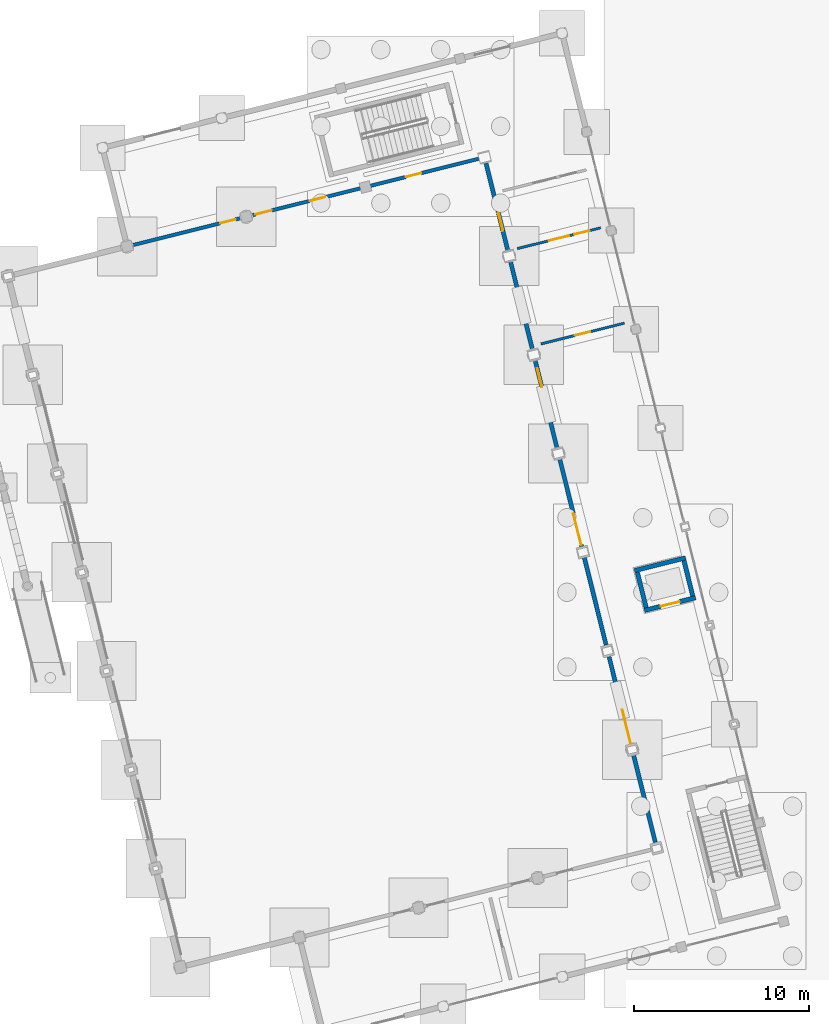
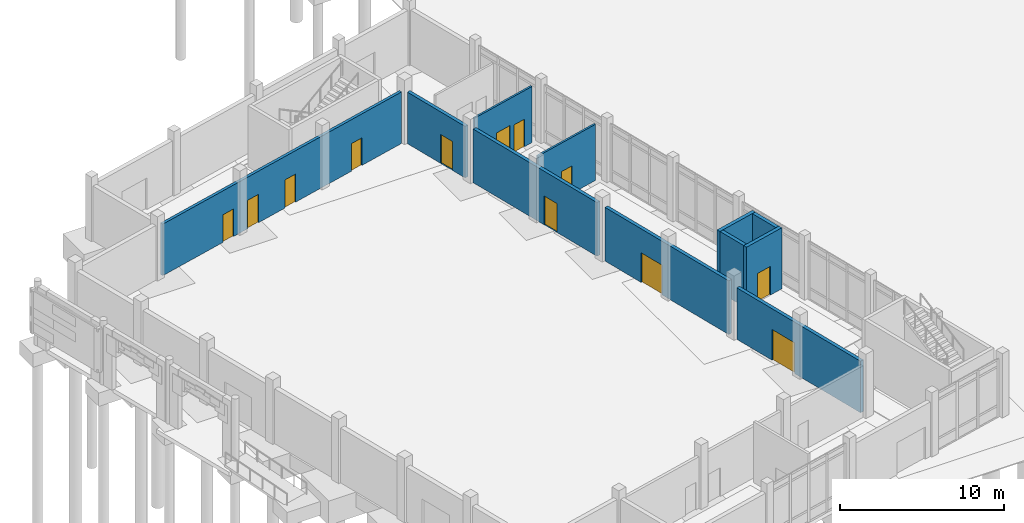
# One storey, part 43 of 72: 12 doors, 11 walls, 12 openings.
"""IFC4 building model written with IfcOpenShell, lengths in metres."""

import ifcopenshell
import ifcopenshell.guid

model = None  # the IFC model being written
_history = None  # IfcOwnerHistory: only IFC2X3 demands one
_inside = {}  # id of a spatial element -> (the spatial element, [elements in it])
_under = {}  # id of a project, library or spatial element -> (it, [spatial elements below it])
_declared = {}  # id of a project -> (the project, [libraries it declares])
_typed = {}  # id of a type object -> (the type object, [elements of that type])
_made_of = {}  # id of a material, layer set ... -> (it, [elements and type objects made of it])


def new_model(schema):
    """Start an empty IFC model of exactly this schema.

    Asked for "IFC4X3", IfcOpenShell would pick the latest addendum, in which some entities
    have other attributes; the version numbers below select the first issue.
    IFC2X3 requires an IfcOwnerHistory on every rooted entity: one is made here for all.
    """
    global model, _history
    if schema == "IFC4X3":
        model = ifcopenshell.file(schema_version=(4, 3, 0, 0))
    else:
        model = ifcopenshell.file(schema=schema)
    _inside.clear()
    _under.clear()
    _declared.clear()
    _typed.clear()
    _made_of.clear()
    _history = None
    if model.schema == "IFC2X3":
        org = make("IfcOrganization", Name="unknown")
        user = make(
            "IfcPersonAndOrganization",
            ThePerson=make("IfcPerson", FamilyName="unknown"),
            TheOrganization=org,
        )
        app = make(
            "IfcApplication",
            ApplicationDeveloper=org,
            Version="unknown",
            ApplicationFullName="unknown",
            ApplicationIdentifier="unknown",
        )
        _history = make(
            "IfcOwnerHistory",
            OwningUser=user,
            OwningApplication=app,
            ChangeAction="ADDED",
            CreationDate=0,
        )
    return model


def make(cls, **values):
    """One entity of the class cls with the attributes given. An attribute that is None is left unset."""
    return model.create_entity(
        cls, **{name: value for name, value in values.items() if value is not None}
    )


def rooted(cls, **values):
    """An entity with a GlobalId (a new one), such as an element, a storey or a relation."""
    return make(cls, GlobalId=ifcopenshell.guid.new(), OwnerHistory=_history, **values)


def si_unit(unit_type, name, prefix=None):
    """IfcSIUnit, for example si_unit("LENGTHUNIT", "METRE", prefix="MILLI")."""
    return make("IfcSIUnit", UnitType=unit_type, Prefix=prefix, Name=name)


def assignment(units):
    """IfcUnitAssignment: the units of a project."""
    return None if units is None else make("IfcUnitAssignment", Units=units)


def point(xyz):
    """IfcCartesianPoint."""
    return None if xyz is None else make("IfcCartesianPoint", Coordinates=xyz)


def direction(xyz):
    """IfcDirection."""
    return None if xyz is None else make("IfcDirection", DirectionRatios=xyz)


def frame(location, z_axis=None, x_axis=None):
    """IfcAxis2Placement3D, a coordinate frame: its origin and axes. An axis left out is left unset."""
    return make(
        "IfcAxis2Placement3D",
        Location=point(location),
        Axis=direction(z_axis),
        RefDirection=direction(x_axis),
    )


def frame_2d(location, x_axis=None):
    """IfcAxis2Placement2D, a coordinate frame in the plane: its origin and x axis."""
    return make(
        "IfcAxis2Placement2D", Location=point(location), RefDirection=direction(x_axis)
    )


def origin():
    """The frame at (0, 0, 0) with its axes left unset."""
    return frame((0.0, 0.0, 0.0))


def place(relative_to, where):
    """IfcLocalPlacement: puts the frame where relative to a parent placement (None: the world)."""
    return make(
        "IfcLocalPlacement", PlacementRelTo=relative_to, RelativePlacement=where
    )


def context(
    kind, dimensions, precision=None, world=None, true_north=None, identifier=None
):
    """IfcGeometricRepresentationContext, for example the 3D "Model" context."""
    return make(
        "IfcGeometricRepresentationContext",
        ContextIdentifier=identifier,
        ContextType=kind,
        CoordinateSpaceDimension=dimensions,
        Precision=precision,
        WorldCoordinateSystem=world,
        TrueNorth=true_north,
    )


def subcontext(parent, identifier, kind, view, scale=None):
    """IfcGeometricRepresentationSubContext, for example "Body" below "Model"."""
    return make(
        "IfcGeometricRepresentationSubContext",
        ContextIdentifier=identifier,
        ContextType=kind,
        ParentContext=parent,
        TargetScale=scale,
        TargetView=view,
    )


def project(units=None, contexts=None):
    """IfcProject with its units and contexts."""
    return rooted(
        "IfcProject",
        Name="project",
        RepresentationContexts=contexts,
        UnitsInContext=assignment(units),
    )


def spatial(cls, under=None, at=None, **own):
    """A site, building, storey or space (cls), placed at a placement, below another one or the project."""
    s = rooted(cls, ObjectPlacement=at, **own)
    if under is not None:
        _under.setdefault(under.id(), (under, []))[1].append(s)
    return s


def profile(cls, at=None, kind="AREA", **sizes):
    """A parametric profile (cls). Its sizes go by their IFC names, for example OverallWidth=200.0."""
    return make(cls, ProfileType=kind, Position=at, **sizes)


def rectangle(**sizes):
    """IfcRectangleProfileDef."""
    return profile("IfcRectangleProfileDef", **sizes)


def extrude(swept, where, along, depth):
    """IfcExtrudedAreaSolid: the profile swept, set in the frame where, extruded along a direction by depth."""
    return make(
        "IfcExtrudedAreaSolid",
        SweptArea=swept,
        Position=where,
        ExtrudedDirection=direction(along),
        Depth=depth,
    )


def shape(context_of_items, identifier, shape_type, items):
    """IfcShapeRepresentation: the items that make up one representation, for example the "Body"."""
    return make(
        "IfcShapeRepresentation",
        ContextOfItems=context_of_items,
        RepresentationIdentifier=identifier,
        RepresentationType=shape_type,
        Items=items,
    )


def material(Name=None, Category=None):
    """IfcMaterial."""
    return make("IfcMaterial", Name=Name, Category=Category)


def layer(
    of_material, thickness, ventilated=None, Name=None, Category=None, Priority=None
):
    """IfcMaterialLayer: one layer of a wall or slab, of a material (None: an air gap)."""
    return make(
        "IfcMaterialLayer",
        Material=of_material,
        LayerThickness=thickness,
        IsVentilated=ventilated,
        Name=Name,
        Category=Category,
        Priority=Priority,
    )


def layer_set(layers, Name=None):
    """IfcMaterialLayerSet."""
    return make("IfcMaterialLayerSet", MaterialLayers=layers, LayerSetName=Name)


def made_of(thing, what):
    """Note that an element or type object is made of a material, layer set ...; save() writes the relation."""
    if what is not None:
        _made_of.setdefault(what.id(), (what, []))[1].append(thing)
    return thing


def type_object(cls, material=None, **own):
    """A type object (cls), such as IfcWallType, which elements share."""
    return made_of(rooted(cls, **own), material)


def element(
    cls,
    number,
    at=None,
    inside=None,
    cuts=None,
    type_object=None,
    material=None,
    context=None,
    identifier="Body",
    shape_type=None,
    held_by="IfcProductDefinitionShape",
    body=None,
    shapes=None,
    **own,
):
    """One element of the class cls, such as IfcWall. Its Tag is "e" and its number.

    at: its placement. inside: the storey or other place that contains it. cuts: it is an
    opening in that element (IfcRelVoidsElement). A single representation is given by context,
    identifier, shape_type and body (its items); several are given by shapes. held_by: the class
    of the entity that holds the representations. save() writes the other relations.
    """
    e = rooted(cls, Tag="e%d" % number, ObjectPlacement=at, **own)
    if body is not None:
        shapes = [shape(context, identifier, shape_type, body)]
    if shapes is not None:
        e.Representation = make(held_by, Representations=shapes)
    if inside is not None:
        _inside.setdefault(inside.id(), (inside, []))[1].append(e)
    if cuts is not None:
        rooted(
            "IfcRelVoidsElement", RelatingBuildingElement=cuts, RelatedOpeningElement=e
        )
    if type_object is not None:
        _typed.setdefault(type_object.id(), (type_object, []))[1].append(e)
    return made_of(e, material)


def fill(opening, filler):
    """IfcRelFillsElement: the door or window that sits in an opening."""
    return rooted(
        "IfcRelFillsElement",
        RelatingOpeningElement=opening,
        RelatedBuildingElement=filler,
    )


def aggregate(whole, parts):
    """IfcRelAggregates: a whole, such as a stair, and the parts it consists of."""
    return rooted("IfcRelAggregates", RelatingObject=whole, RelatedObjects=parts)


def save(model, path):
    """Write the relations noted so far, then the file.

    IfcRelAggregates (storeys below a building ...), IfcRelContainedInSpatialStructure (elements
    in a storey), IfcRelDefinesByType, IfcRelAssociatesMaterial and IfcRelDeclares: one each for
    every whole, place, type object, material and project.
    """
    for whole, parts in _under.values():
        aggregate(whole, parts)
    for where, things in _inside.values():
        rooted(
            "IfcRelContainedInSpatialStructure",
            RelatedElements=things,
            RelatingStructure=where,
        )
    for kind, things in _typed.values():
        rooted("IfcRelDefinesByType", RelatedObjects=things, RelatingType=kind)
    for what, things in _made_of.values():
        rooted("IfcRelAssociatesMaterial", RelatedObjects=things, RelatingMaterial=what)
    for by, libraries in _declared.values():
        rooted("IfcRelDeclares", RelatingContext=by, RelatedDefinitions=libraries)
    model.write(path)


model = new_model("IFC4")

# Units and contexts
model_context = context("Model", 3, precision=1e-05, world=origin(), true_north=direction((0.0, 1.0)))
body_context = subcontext(model_context, "Body", "Model", "MODEL_VIEW")
ifc_project = project(units=[si_unit("LENGTHUNIT", "METRE"), si_unit("AREAUNIT", "SQUARE_METRE"), si_unit("VOLUMEUNIT", "CUBIC_METRE"), si_unit("PLANEANGLEUNIT", "RADIAN"), si_unit("MASSUNIT", "GRAM", prefix="KILO")], contexts=[model_context])

# Site, building, storey
site_placement = place(None, origin())
site = spatial("IfcSite", under=ifc_project, at=site_placement, CompositionType="ELEMENT")
building_placement = place(site_placement, origin())
building = spatial("IfcBuilding", under=site, at=building_placement, Name="Cinderway Yard Community Centre", CompositionType="ELEMENT")
storey_placement = place(building_placement, origin())
storey = spatial("IfcBuildingStorey", under=building, at=storey_placement, Name="L00", CompositionType="ELEMENT", Elevation=0.0)

# Wall, opening, door
ifc_material_1 = material(Name="Gypsum Board Partition", Category="gypsum")
ifc_layer_1 = layer(ifc_material_1, 0.139892578125, Name="Gypsum Board Partition")
ifc_layer_set_1 = layer_set([ifc_layer_1], Name="Gypsum Board Partition")
wall_type_1 = type_object("IfcWallType", Name="INT-WAL-PRT140", PredefinedType="PARTITIONING", material=ifc_layer_set_1)
wall_1_placement = place(storey_placement, frame((40.375, 60.64794921875, 0.0), z_axis=(0.0, 0.0, 1.0), x_axis=(0.970306426655, 0.241878974681, 0.0)))
wall_1 = element("IfcWall", 1, at=wall_1_placement, inside=storey, type_object=wall_type_1, Name="V1 Gallery Sanitary Partition INT-PRT-L00-0240", PredefinedType="PARTITIONING", context=body_context, shape_type="SweptSolid", body=[
    extrude(rectangle(XDim=4.8994140625, YDim=0.139892578125, at=frame_2d((2.44970703125, 0.0))), origin(), (0.0, 0.0, 1.0), 4.18701171875),
])
opening_1_placement = place(wall_1_placement, frame((2.0, 0.0, 0.0)))
opening_1 = element("IfcOpeningElement", 2, at=opening_1_placement, cuts=wall_1, Name="Opening D-10", PredefinedType="OPENING", context=body_context, shape_type="SweptSolid", body=[
    extrude(rectangle(XDim=0.89990234375, YDim=2.06005859375, at=frame_2d((0.449951171875, 1.030029296875))), frame((0.0, 0.079833984375, 0.0), z_axis=(0.0, -1.0, 0.0), x_axis=(1.0, 0.0, 0.0)), (0.0, 0.0, 1.0), 0.159912109375),
])
ifc_material_2 = material(Name="Hardwood Timber", Category="wood")
door_type_1 = type_object("IfcDoorType", Name="INT-DOR-SAN090", OperationType="NOTDEFINED", PredefinedType="DOOR", material=ifc_material_2)
door_1_placement = place(opening_1_placement, origin())
door_1 = element("IfcDoor", 3, at=door_1_placement, inside=storey, type_object=door_type_1, Name="Room door INT-DOR-L00-0105", OperationType="SINGLE_SWING_RIGHT", OverallHeight=2.06005859375, OverallWidth=0.89990234375, PredefinedType="DOOR", context=body_context, shape_type="SweptSolid", body=[
    extrude(rectangle(XDim=0.89990234375, YDim=2.06005859375, at=frame_2d((0.449951171875, 1.030029296875))), frame((0.0, 0.02490234375, 0.0), z_axis=(0.0, -1.0, 0.0), x_axis=(1.0, 0.0, 0.0)), (0.0, 0.0, 1.0), 0.050048828125),
])
fill(opening_1, door_1)

# Wall, openings, doors
wall_2_placement = place(storey_placement, frame((39.02001953125, 66.0810546875, 0.0), z_axis=(0.0, 0.0, 1.0), x_axis=(0.970306426655, 0.241878974681, 0.0)))
wall_2 = element("IfcWall", 4, at=wall_2_placement, inside=storey, type_object=wall_type_1, Name="V1 Gallery Sanitary Partition INT-PRT-L00-0241", PredefinedType="PARTITIONING", context=body_context, shape_type="SweptSolid", body=[
    extrude(rectangle(XDim=4.8994140625, YDim=0.139892578125, at=frame_2d((2.44970703125, 0.0))), origin(), (0.0, 0.0, 1.0), 4.18701171875),
])
opening_2_placement = place(wall_2_placement, frame((1.860107421875, 0.0, 0.0)))
opening_2 = element("IfcOpeningElement", 5, at=opening_2_placement, cuts=wall_2, Name="Opening D-11", PredefinedType="OPENING", context=body_context, shape_type="SweptSolid", body=[
    extrude(rectangle(XDim=1.179931640625, YDim=2.179931640625, at=frame_2d((0.58984375, 1.08984375))), frame((0.0, 0.079833984375, 0.0), z_axis=(0.0, -1.0, 0.0), x_axis=(1.0, 0.0, 0.0)), (0.0, 0.0, 1.0), 0.159912109375),
])
opening_3_placement = place(wall_2_placement, frame((3.35009765625, 0.0, 0.0)))
opening_3 = element("IfcOpeningElement", 6, at=opening_3_placement, cuts=wall_2, Name="Opening D-10", PredefinedType="OPENING", context=body_context, shape_type="SweptSolid", body=[
    extrude(rectangle(XDim=0.89990234375, YDim=2.06005859375, at=frame_2d((0.449951171875, 1.030029296875))), frame((0.0, 0.079833984375, 0.0), z_axis=(0.0, -1.0, 0.0), x_axis=(1.0, 0.0, 0.0)), (0.0, 0.0, 1.0), 0.159912109375),
])
door_2_placement = place(opening_3_placement, origin())
door_2 = element("IfcDoor", 7, at=door_2_placement, inside=storey, type_object=door_type_1, Name="Public Male Toilet Door INT-DOR-L00-0285", OperationType="SINGLE_SWING_LEFT", OverallHeight=2.06005859375, OverallWidth=0.89990234375, PredefinedType="DOOR", context=body_context, shape_type="SweptSolid", body=[
    extrude(rectangle(XDim=0.89990234375, YDim=2.06005859375, at=frame_2d((0.449951171875, 1.030029296875))), frame((0.0, 0.02490234375, 0.0), z_axis=(0.0, -1.0, 0.0), x_axis=(1.0, 0.0, 0.0)), (0.0, 0.0, 1.0), 0.050048828125),
])
fill(opening_3, door_2)
ifc_material_3 = material(Name="Painted Galvanised Steel", Category="steel")
door_type_2 = type_object("IfcDoorType", Name="INT-DOR-STR118", OperationType="NOTDEFINED", PredefinedType="DOOR", material=ifc_material_3)
door_3_placement = place(opening_2_placement, origin())
door_3 = element("IfcDoor", 8, at=door_3_placement, inside=storey, type_object=door_type_2, Name="Room door INT-DOR-L00-0106", OperationType="SINGLE_SWING_LEFT", OverallHeight=2.179931640625, OverallWidth=1.179931640625, PredefinedType="DOOR", context=body_context, shape_type="SweptSolid", body=[
    extrude(rectangle(XDim=1.179931640625, YDim=2.179931640625, at=frame_2d((0.58984375, 1.08984375))), frame((0.0, 0.02490234375, 0.0), z_axis=(0.0, -1.0, 0.0), x_axis=(1.0, 0.0, 0.0)), (0.0, 0.0, 1.0), 0.050048828125),
])
fill(opening_2, door_3)

ifc_material_4 = material(Name="Brick Masonry", Category="masonry")
ifc_layer_2 = layer(ifc_material_4, 0.199951171875, Name="Brick Masonry")
ifc_layer_set_2 = layer_set([ifc_layer_2], Name="Brick Masonry")
wall_type_2 = type_object("IfcWallType", Name="INT-WAL-PRT200", PredefinedType="PARTITIONING", material=ifc_layer_set_2)
wall_3_placement = place(storey_placement, frame((17.118896484375, 66.2890625, 0.0), z_axis=(0.0, 0.0, 1.0), x_axis=(0.970297233618, 0.241915849902, 0.0)))
wall_3 = element("IfcWall", 9, at=wall_3_placement, inside=storey, type_object=wall_type_2, Name="Stage Backstage Wall INT-PRT-L00-0238", PredefinedType="PARTITIONING", context=body_context, shape_type="SweptSolid", body=[
    extrude(rectangle(XDim=20.300048828125, YDim=0.199951171875, at=frame_2d((10.14990234375, 0.0))), origin(), (0.0, 0.0, 1.0), 3.844970703125),
])
opening_4_placement = place(wall_3_placement, frame((7.19189453125, 0.0, 0.0)))
opening_4 = element("IfcOpeningElement", 10, at=opening_4_placement, cuts=wall_3, Name="Opening D-07", PredefinedType="OPENING", context=body_context, shape_type="SweptSolid", body=[
    extrude(rectangle(XDim=0.949951171875, YDim=2.1201171875, at=frame_2d((0.47509765625, 1.06005859375))), frame((0.0, 0.10986328125, 0.0), z_axis=(0.0, -1.0, 0.0), x_axis=(1.0, 0.0, 0.0)), (0.0, 0.0, 1.0), 0.219970703125),
])
opening_5_placement = place(wall_3_placement, frame((10.373046875, 0.0, 0.0)))
opening_5 = element("IfcOpeningElement", 11, at=opening_5_placement, cuts=wall_3, Name="Opening D-08", PredefinedType="OPENING", context=body_context, shape_type="SweptSolid", body=[
    extrude(rectangle(XDim=0.919921875, YDim=2.10009765625, at=frame_2d((0.4599609375, 1.050048828125))), frame((0.0, 0.10986328125, 0.0), z_axis=(0.0, -1.0, 0.0), x_axis=(1.0, 0.0, 0.0)), (0.0, 0.0, 1.0), 0.219970703125),
])
opening_6_placement = place(wall_3_placement, frame((5.1201171875, 0.0, 0.0)))
opening_6 = element("IfcOpeningElement", 12, at=opening_6_placement, cuts=wall_3, Name="Opening D-10", PredefinedType="OPENING", context=body_context, shape_type="SweptSolid", body=[
    extrude(rectangle(XDim=0.89990234375, YDim=2.06005859375, at=frame_2d((0.449951171875, 1.030029296875))), frame((0.0, 0.10986328125, 0.0), z_axis=(0.0, -1.0, 0.0), x_axis=(1.0, 0.0, 0.0)), (0.0, 0.0, 1.0), 0.219970703125),
])
opening_7_placement = place(wall_3_placement, frame((16.030029296875, 0.0, 0.0)))
opening_7 = element("IfcOpeningElement", 13, at=opening_7_placement, cuts=wall_3, Name="Opening D-10", PredefinedType="OPENING", context=body_context, shape_type="SweptSolid", body=[
    extrude(rectangle(XDim=0.89990234375, YDim=2.06005859375, at=frame_2d((0.449951171875, 1.030029296875))), frame((0.0, 0.10986328125, 0.0), z_axis=(0.0, -1.0, 0.0), x_axis=(1.0, 0.0, 0.0)), (0.0, 0.0, 1.0), 0.219970703125),
])
door_type_3 = type_object("IfcDoorType", Name="INT-DOR-OFF092", OperationType="NOTDEFINED", PredefinedType="DOOR", material=ifc_material_2)
door_4_placement = place(opening_5_placement, origin())
door_4 = element("IfcDoor", 14, at=door_4_placement, inside=storey, type_object=door_type_3, Name="Room door INT-DOR-L00-0103", OperationType="SINGLE_SWING_RIGHT", OverallHeight=2.10009765625, OverallWidth=0.919921875, PredefinedType="DOOR", context=body_context, shape_type="SweptSolid", body=[
    extrude(rectangle(XDim=0.919921875, YDim=2.10009765625, at=frame_2d((0.4599609375, 1.050048828125))), frame((0.0, 0.02490234375, 0.0), z_axis=(0.0, -1.0, 0.0), x_axis=(1.0, 0.0, 0.0)), (0.0, 0.0, 1.0), 0.050048828125),
])
fill(opening_5, door_4)
door_type_4 = type_object("IfcDoorType", Name="INT-DOR-OFF095", OperationType="NOTDEFINED", PredefinedType="DOOR", material=ifc_material_2)
door_5_placement = place(opening_4_placement, origin())
door_5 = element("IfcDoor", 15, at=door_5_placement, inside=storey, type_object=door_type_4, Name="Room door INT-DOR-L00-0102", OperationType="SINGLE_SWING_LEFT", OverallHeight=2.1201171875, OverallWidth=0.949951171875, PredefinedType="DOOR", context=body_context, shape_type="SweptSolid", body=[
    extrude(rectangle(XDim=0.949951171875, YDim=2.1201171875, at=frame_2d((0.47509765625, 1.06005859375))), frame((0.0, 0.02490234375, 0.0), z_axis=(0.0, -1.0, 0.0), x_axis=(1.0, 0.0, 0.0)), (0.0, 0.0, 1.0), 0.050048828125),
])
fill(opening_4, door_5)
door_6_placement = place(opening_6_placement, origin())
door_6 = element("IfcDoor", 16, at=door_6_placement, inside=storey, type_object=door_type_1, Name="Backstage & Green Room Door INT-DOR-L00-0287", OperationType="SINGLE_SWING_LEFT", OverallHeight=2.06005859375, OverallWidth=0.89990234375, PredefinedType="DOOR", context=body_context, shape_type="SweptSolid", body=[
    extrude(rectangle(XDim=0.89990234375, YDim=2.06005859375, at=frame_2d((0.449951171875, 1.030029296875))), frame((0.0, 0.02490234375, 0.0), z_axis=(0.0, -1.0, 0.0), x_axis=(1.0, 0.0, 0.0)), (0.0, 0.0, 1.0), 0.050048828125),
])
fill(opening_6, door_6)
door_7_placement = place(opening_7_placement, origin())
door_7 = element("IfcDoor", 17, at=door_7_placement, inside=storey, type_object=door_type_1, Name="Stage Chair Store Door INT-DOR-L00-0288", OperationType="SINGLE_SWING_RIGHT", OverallHeight=2.06005859375, OverallWidth=0.89990234375, PredefinedType="DOOR", context=body_context, shape_type="SweptSolid", body=[
    extrude(rectangle(XDim=0.89990234375, YDim=2.06005859375, at=frame_2d((0.449951171875, 1.030029296875))), frame((0.0, 0.02490234375, 0.0), z_axis=(0.0, -1.0, 0.0), x_axis=(1.0, 0.0, 0.0)), (0.0, 0.0, 1.0), 0.050048828125),
])
fill(opening_7, door_7)

# Wall, opening, door
ifc_layer_3 = layer(ifc_material_4, 0.239990234375, Name="Brick Masonry")
ifc_layer_set_3 = layer_set([ifc_layer_3], Name="Brick Masonry")
wall_type_3 = type_object("IfcWallType", Name="INT-WAL-PRT240", PredefinedType="PARTITIONING", material=ifc_layer_set_3)
wall_4_placement = place(storey_placement, frame((46.89306640625, 32.23095703125, 0.0), z_axis=(0.0, 0.0, 1.0), x_axis=(-0.24195052599, 0.970288587469, 0.0)))
wall_4 = element("IfcWall", 18, at=wall_4_placement, inside=storey, type_object=wall_type_3, Name="Main Hall East Acoustic Wall INT-PRT-L00-0233", PredefinedType="PARTITIONING", context=body_context, shape_type="SweptSolid", body=[
    extrude(rectangle(XDim=10.898681640625, YDim=0.239990234375, at=frame_2d((5.44921875, 0.0))), origin(), (0.0, 0.0, 1.0), 3.844970703125),
])
opening_8_placement = place(wall_4_placement, frame((5.799072265625, 0.0, 0.0)))
opening_8 = element("IfcOpeningElement", 19, at=opening_8_placement, cuts=wall_4, Name="Opening D-01", PredefinedType="OPENING", context=body_context, shape_type="SweptSolid", body=[
    extrude(rectangle(XDim=2.0, YDim=2.300048828125, at=frame_2d((1.0, 1.14990234375))), frame((0.0, 0.1298828125, 0.0), z_axis=(0.0, -1.0, 0.0), x_axis=(1.0, 0.0, 0.0)), (0.0, 0.0, 1.0), 0.260009765625),
])
door_type_5 = type_object("IfcDoorType", Name="INT-DOR-HAL200", OperationType="DOUBLE_DOOR_SINGLE_SWING", PredefinedType="DOOR", material=ifc_material_2)
door_8_placement = place(opening_8_placement, origin())
door_8 = element("IfcDoor", 20, at=door_8_placement, inside=storey, type_object=door_type_5, Name="Room door INT-DOR-L00-0096", OperationType="DOUBLE_DOOR_SINGLE_SWING", OverallHeight=2.300048828125, OverallWidth=2.0, PredefinedType="DOOR", context=body_context, shape_type="SweptSolid", body=[
    extrude(rectangle(XDim=2.0, YDim=2.300048828125, at=frame_2d((1.0, 1.14990234375))), frame((0.0, 0.02490234375, 0.0), z_axis=(0.0, -1.0, 0.0), x_axis=(1.0, 0.0, 0.0)), (0.0, 0.0, 1.0), 0.050048828125),
])
fill(opening_8, door_8)

wall_5_placement = place(storey_placement, frame((44.0859375, 43.486083984375, 0.0), z_axis=(0.0, 0.0, 1.0), x_axis=(-0.24184513843, 0.970314860763, 0.0)))
wall_5 = element("IfcWall", 21, at=wall_5_placement, inside=storey, type_object=wall_type_3, Name="Main Hall East Acoustic Wall INT-PRT-L00-0234", PredefinedType="PARTITIONING", context=body_context, shape_type="SweptSolid", body=[
    extrude(rectangle(XDim=10.8994140625, YDim=0.239990234375, at=frame_2d((5.44970703125, 0.0))), origin(), (0.0, 0.0, 1.0), 4.006103515625),
])
opening_9_placement = place(wall_5_placement, frame((5.875, 0.0, 0.0)))
opening_9 = element("IfcOpeningElement", 22, at=opening_9_placement, cuts=wall_5, Name="Opening D-02", PredefinedType="OPENING", context=body_context, shape_type="SweptSolid", body=[
    extrude(rectangle(XDim=1.85009765625, YDim=2.219970703125, at=frame_2d((0.925048828125, 1.10986328125))), frame((0.0, 0.1298828125, 0.0), z_axis=(0.0, -1.0, 0.0), x_axis=(1.0, 0.0, 0.0)), (0.0, 0.0, 1.0), 0.260009765625),
])
door_type_6 = type_object("IfcDoorType", Name="INT-DOR-HAL185", OperationType="DOUBLE_DOOR_SINGLE_SWING", PredefinedType="DOOR", material=ifc_material_2)
door_9_placement = place(opening_9_placement, origin())
door_9 = element("IfcDoor", 23, at=door_9_placement, inside=storey, type_object=door_type_6, Name="Room door INT-DOR-L00-0097", OperationType="DOUBLE_DOOR_SINGLE_SWING", OverallHeight=2.219970703125, OverallWidth=1.85009765625, PredefinedType="DOOR", context=body_context, shape_type="SweptSolid", body=[
    extrude(rectangle(XDim=1.85009765625, YDim=2.219970703125, at=frame_2d((0.925048828125, 1.10986328125))), frame((0.0, 0.02490234375, 0.0), z_axis=(0.0, -1.0, 0.0), x_axis=(1.0, 0.0, 0.0)), (0.0, 0.0, 1.0), 0.050048828125),
])
fill(opening_9, door_9)

wall_6_placement = place(storey_placement, frame((41.280029296875, 54.741943359375, 0.0), z_axis=(0.0, 0.0, 1.0), x_axis=(-0.241866165603, 0.970309619625, 0.0)))
wall_6 = element("IfcWall", 24, at=wall_6_placement, inside=storey, type_object=wall_type_3, Name="Main Hall East Acoustic Wall INT-PRT-L00-0235", PredefinedType="PARTITIONING", context=body_context, shape_type="SweptSolid", body=[
    extrude(rectangle(XDim=10.8984375, YDim=0.239990234375, at=frame_2d((5.44921875, 0.0))), origin(), (0.0, 0.0, 1.0), 4.006103515625),
])
opening_10_placement = place(wall_6_placement, frame((3.5390625, 0.0, 0.0)))
opening_10 = element("IfcOpeningElement", 25, at=opening_10_placement, cuts=wall_6, Name="Opening D-03", PredefinedType="OPENING", context=body_context, shape_type="SweptSolid", body=[
    extrude(rectangle(XDim=1.1201171875, YDim=2.159912109375, at=frame_2d((0.56005859375, 1.080078125))), frame((0.0, 0.1298828125, 0.0), z_axis=(0.0, -1.0, 0.0), x_axis=(1.0, 0.0, 0.0)), (0.0, 0.0, 1.0), 0.260009765625),
])
door_type_7 = type_object("IfcDoorType", Name="INT-DOR-CLS112", OperationType="NOTDEFINED", PredefinedType="DOOR", material=ifc_material_2)
door_10_placement = place(opening_10_placement, origin())
door_10 = element("IfcDoor", 26, at=door_10_placement, inside=storey, type_object=door_type_7, Name="Room door INT-DOR-L00-0098", OperationType="SINGLE_SWING_LEFT", OverallHeight=2.159912109375, OverallWidth=1.1201171875, PredefinedType="DOOR", context=body_context, shape_type="SweptSolid", body=[
    extrude(rectangle(XDim=1.1201171875, YDim=2.159912109375, at=frame_2d((0.56005859375, 1.080078125))), frame((0.0, 0.02490234375, 0.0), z_axis=(0.0, -1.0, 0.0), x_axis=(1.0, 0.0, 0.0)), (0.0, 0.0, 1.0), 0.050048828125),
])
fill(opening_10, door_10)

wall_7_placement = place(storey_placement, frame((38.47412109375, 65.9970703125, 0.0), z_axis=(0.0, 0.0, 1.0), x_axis=(-0.241825856576, 0.970319666446, 0.0)))
wall_7 = element("IfcWall", 27, at=wall_7_placement, inside=storey, type_object=wall_type_3, Name="Main Hall East Acoustic Wall INT-PRT-L00-0236", PredefinedType="PARTITIONING", context=body_context, shape_type="SweptSolid", body=[
    extrude(rectangle(XDim=5.099365234375, YDim=0.239990234375, at=frame_2d((2.5498046875, 0.0))), origin(), (0.0, 0.0, 1.0), 3.844970703125),
])
opening_11_placement = place(wall_7_placement, frame((1.1201171875, 0.0, 0.0)))
opening_11 = element("IfcOpeningElement", 28, at=opening_11_placement, cuts=wall_7, Name="Opening D-04", PredefinedType="OPENING", context=body_context, shape_type="SweptSolid", body=[
    extrude(rectangle(XDim=1.06005859375, YDim=2.159912109375, at=frame_2d((0.530029296875, 1.080078125))), frame((0.0, 0.1298828125, 0.0), z_axis=(0.0, -1.0, 0.0), x_axis=(1.0, 0.0, 0.0)), (0.0, 0.0, 1.0), 0.260009765625),
])
door_type_8 = type_object("IfcDoorType", Name="INT-DOR-CLS106", OperationType="NOTDEFINED", PredefinedType="DOOR", material=ifc_material_2)
door_11_placement = place(opening_11_placement, origin())
door_11 = element("IfcDoor", 29, at=door_11_placement, inside=storey, type_object=door_type_8, Name="Room door INT-DOR-L00-0099", OperationType="SINGLE_SWING_RIGHT", OverallHeight=2.159912109375, OverallWidth=1.06005859375, PredefinedType="DOOR", context=body_context, shape_type="SweptSolid", body=[
    extrude(rectangle(XDim=1.06005859375, YDim=2.159912109375, at=frame_2d((0.530029296875, 1.080078125))), frame((0.0, 0.02490234375, 0.0), z_axis=(0.0, -1.0, 0.0), x_axis=(1.0, 0.0, 0.0)), (0.0, 0.0, 1.0), 0.050048828125),
])
fill(opening_11, door_11)

ifc_material_5 = material(Name="Concrete C40/50", Category="concrete")
ifc_layer_4 = layer(ifc_material_5, 0.25, Name="Concrete C40/50")
ifc_layer_set_4 = layer_set([ifc_layer_4], Name="Concrete C40/50")
wall_type_4 = type_object("IfcWallType", Name="INT-WAL-SHR250", PredefinedType="SHEAR", material=ifc_layer_set_4)
wall_8_placement = place(storey_placement, frame((46.27587890625, 45.4541015625, 0.0), z_axis=(0.0, 0.0, 1.0), x_axis=(0.970276420912, 0.241999312028, 0.0)))
wall_8 = element("IfcWall", 30, at=wall_8_placement, inside=storey, type_object=wall_type_4, Name="Lift LF-03 South Wall INT-WAL-L00-0137", PredefinedType="SHEAR", context=body_context, shape_type="SweptSolid", body=[
    extrude(rectangle(XDim=2.999267578125, YDim=0.25, at=frame_2d((1.49951171875, 0.0))), origin(), (0.0, 0.0, 1.0), 4.56005859375),
])
opening_12_placement = place(wall_8_placement, frame((0.949951171875, 0.0, 0.0)))
opening_12 = element("IfcOpeningElement", 31, at=opening_12_placement, cuts=wall_8, Name="Opening LD-01", PredefinedType="OPENING", context=body_context, shape_type="SweptSolid", body=[
    extrude(rectangle(XDim=1.10009765625, YDim=2.14990234375, at=frame_2d((0.550048828125, 1.074951171875))), frame((0.0, 0.135009765625, 0.0), z_axis=(0.0, -1.0, 0.0), x_axis=(1.0, 0.0, 0.0)), (0.0, 0.0, 1.0), 0.27001953125),
])
door_type_9 = type_object("IfcDoorType", Name="INT-DOR-LD01", OperationType="SLIDING_TO_LEFT", PredefinedType="DOOR", material=ifc_material_3)
door_12_placement = place(opening_12_placement, origin())
door_12 = element("IfcDoor", 32, at=door_12_placement, inside=storey, type_object=door_type_9, Name="Lift landing door INT-DOR-L00-0038", OperationType="SLIDING_TO_LEFT", OverallHeight=2.14990234375, OverallWidth=1.10009765625, PredefinedType="DOOR", context=body_context, shape_type="SweptSolid", body=[
    extrude(rectangle(XDim=1.10009765625, YDim=2.14990234375, at=frame_2d((0.550048828125, 1.074951171875))), frame((0.0, 0.02490234375, 0.0), z_axis=(0.0, -1.0, 0.0), x_axis=(1.0, 0.0, 0.0)), (0.0, 0.0, 1.0), 0.050048828125),
])
fill(opening_12, door_12)

# Walls
wall_9_placement = place(storey_placement, frame((48.6201171875, 48.449951171875, 0.0), z_axis=(0.0, 0.0, 1.0), x_axis=(-0.970276420912, -0.241999312028, 0.0)))
element("IfcWall", 33, at=wall_9_placement, inside=storey, type_object=wall_type_4, Name="Lift LF-03 North Wall INT-WAL-L00-0138", PredefinedType="SHEAR", context=body_context, shape_type="SweptSolid", body=[
    extrude(rectangle(XDim=2.999267578125, YDim=0.25, at=frame_2d((1.49951171875, 0.0))), origin(), (0.0, 0.0, 1.0), 4.56005859375),
])
wall_10_placement = place(storey_placement, frame((49.029052734375, 46.27392578125, 0.0), z_axis=(0.0, 0.0, 1.0), x_axis=(-0.241817773214, 0.970321680969, 0.0)))
element("IfcWall", 34, at=wall_10_placement, inside=storey, type_object=wall_type_4, Name="Lift LF-03 East Wall INT-WAL-L00-0139", PredefinedType="SHEAR", context=body_context, shape_type="SweptSolid", body=[
    extrude(rectangle(XDim=2.080810546875, YDim=0.25, at=frame_2d((1.04052734375, 0.0))), origin(), (0.0, 0.0, 1.0), 4.56005859375),
])
wall_11_placement = place(storey_placement, frame((45.866943359375, 47.6298828125, 0.0), z_axis=(0.0, 0.0, 1.0), x_axis=(0.241845306756, -0.970314818809, 0.0)))
element("IfcWall", 35, at=wall_11_placement, inside=storey, type_object=wall_type_4, Name="Lift LF-03 West Wall INT-WAL-L00-0140", PredefinedType="SHEAR", context=body_context, shape_type="SweptSolid", body=[
    extrude(rectangle(XDim=2.08056640625, YDim=0.25, at=frame_2d((1.040283203125, 0.0))), origin(), (0.0, 0.0, 1.0), 4.56005859375),
])

save(model, "model.ifc")
